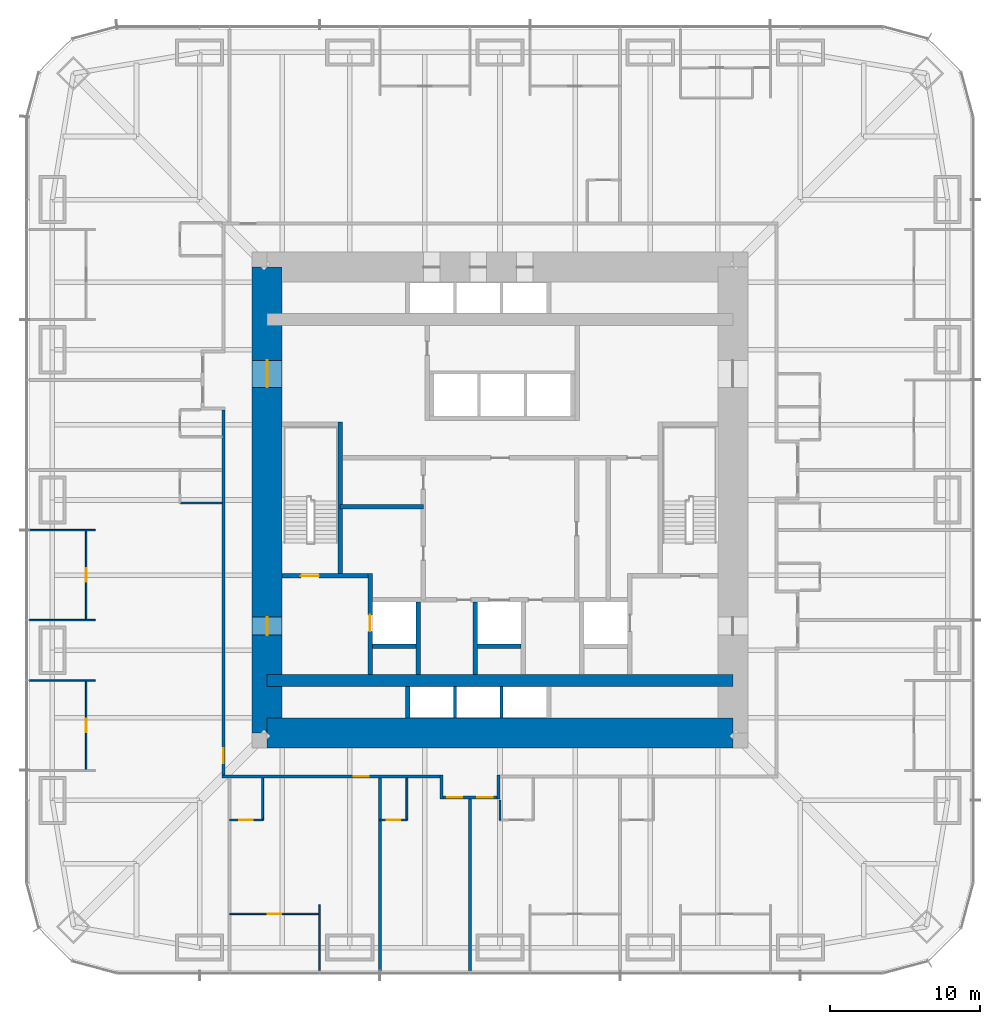
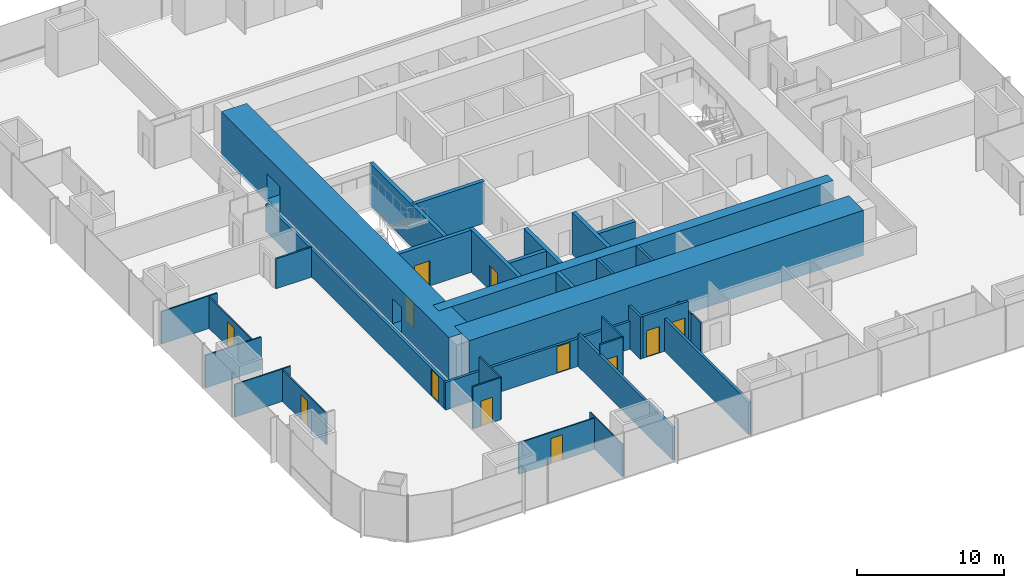
# One storey, part 12 of 17: 34 walls, 13 doors, 13 openings.
"""IFC4 building model written with IfcOpenShell, lengths in metres."""

from ifc_helpers import new_model, si_unit, direction, frame, frame_2d, origin, place, context, subcontext, project, spatial, rectangle, extrude, material, layer, layer_set, type_object, element, fill, save


model = new_model("IFC4")

# Units and contexts
model_context = context("Model", 3, precision=1e-05, world=origin(), true_north=direction((0.0, 1.0)))
body_context = subcontext(model_context, "Body", "Model", "MODEL_VIEW")
ifc_project = project(units=[si_unit("LENGTHUNIT", "METRE"), si_unit("AREAUNIT", "SQUARE_METRE"), si_unit("VOLUMEUNIT", "CUBIC_METRE"), si_unit("PLANEANGLEUNIT", "RADIAN"), si_unit("MASSUNIT", "GRAM", prefix="KILO")], contexts=[model_context])

# Site, building, storey
site_placement = place(None, origin())
site = spatial("IfcSite", under=ifc_project, at=site_placement, CompositionType="ELEMENT")
building_placement = place(site_placement, origin())
building = spatial("IfcBuilding", under=site, at=building_placement, Name="Khuree Lantern Residences", CompositionType="ELEMENT")
storey_placement = place(building_placement, frame((0.0, 0.0, 58.5)))
storey = spatial("IfcBuildingStorey", under=building, at=storey_placement, Name="L14", CompositionType="ELEMENT", Elevation=58.5)

# Wall
ifc_material_1 = material(Name="Moisture-resistant gypsum board on steel studs", Category="steel")
ifc_layer_1 = layer(ifc_material_1, 0.125)
ifc_layer_set_1 = layer_set([ifc_layer_1], Name="BATHROOM WALL BTW125")
wall_type_1 = type_object("IfcWallType", Name="BATHROOM WALL BTW125", PredefinedType="PARTITIONING", material=ifc_layer_set_1)
wall_1_placement = place(storey_placement, frame((-18.5, -0.199951171875, 0.0), z_axis=(0.0, 0.0, 1.0), x_axis=(-1.0, 0.0, 0.0)))
element("IfcWall", 1, at=wall_1_placement, inside=storey, type_object=wall_type_1, Name="L14 BATHROOM WALL 07", PredefinedType="PARTITIONING", context=body_context, shape_type="SweptSolid", body=[
    extrude(rectangle(XDim=2.800048828125, YDim=0.125, at=frame_2d((1.39990234375, 0.0))), origin(), (0.0, 0.0, 1.0), 2.491943359375),
])

# Wall, opening, door
wall_2_placement = place(storey_placement, frame((-18.0, -21.300048828125, 0.0), z_axis=(0.0, 0.0, 1.0), x_axis=(1.0, 0.0, 0.0)))
wall_2 = element("IfcWall", 2, at=wall_2_placement, inside=storey, type_object=wall_type_1, Name="L14 BATHROOM WALL 08", PredefinedType="PARTITIONING", context=body_context, shape_type="SweptSolid", body=[
    extrude(rectangle(XDim=2.199951171875, YDim=0.125, at=frame_2d((1.10009765625, 0.0))), origin(), (0.0, 0.0, 1.0), 3.5),
])
opening_1_placement = place(wall_2_placement, frame((0.64990234375, 0.0, 0.0)))
opening_1 = element("IfcOpeningElement", 3, at=opening_1_placement, cuts=wall_2, Name="Opening 14-046", PredefinedType="OPENING", context=body_context, shape_type="SweptSolid", body=[
    extrude(rectangle(XDim=0.89990234375, YDim=2.10009765625, at=frame_2d((0.449951171875, 1.050048828125))), frame((0.0, 0.072509765625, 0.0), z_axis=(0.0, -1.0, 0.0), x_axis=(1.0, 0.0, 0.0)), (0.0, 0.0, 1.0), 0.14501953125),
])
ifc_material_2 = material(Name="Timber door leaf in hardwood frame", Category="wood")
door_type_1 = type_object("IfcDoorType", Name="BATHROOM DOOR 900X2100", OperationType="SINGLE_SWING_LEFT", PredefinedType="DOOR", material=ifc_material_2)
door_1_placement = place(opening_1_placement, origin())
door_1 = element("IfcDoor", 4, at=door_1_placement, inside=storey, type_object=door_type_1, Name="Bathroom door 14-046", OperationType="SINGLE_SWING_LEFT", OverallHeight=2.10009765625, OverallWidth=0.89990234375, PredefinedType="DOOR", context=body_context, shape_type="SweptSolid", body=[
    extrude(rectangle(XDim=0.89990234375, YDim=2.10009765625, at=frame_2d((0.449951171875, 1.050048828125))), frame((0.0, 0.02490234375, 0.0), z_axis=(0.0, -1.0, 0.0), x_axis=(1.0, 0.0, 0.0)), (0.0, 0.0, 1.0), 0.050048828125),
])
fill(opening_1, door_1)

# Wall
wall_3_placement = place(storey_placement, frame((-15.800048828125, -18.5, 0.0), z_axis=(0.0, 0.0, 1.0), x_axis=(0.0, -1.0, 0.0)))
element("IfcWall", 5, at=wall_3_placement, inside=storey, type_object=wall_type_1, Name="L14 BATHROOM WALL 08", PredefinedType="PARTITIONING", context=body_context, shape_type="SweptSolid", body=[
    extrude(rectangle(XDim=2.800048828125, YDim=0.125, at=frame_2d((1.39990234375, 0.0))), origin(), (0.0, 0.0, 1.0), 3.5),
])

# Wall, opening, door
wall_4_placement = place(storey_placement, frame((-8.0, -21.300048828125, 0.0), z_axis=(0.0, 0.0, 1.0), x_axis=(1.0, 0.0, 0.0)))
wall_4 = element("IfcWall", 6, at=wall_4_placement, inside=storey, type_object=wall_type_1, Name="L14 BATHROOM WALL 09", PredefinedType="PARTITIONING", context=body_context, shape_type="SweptSolid", body=[
    extrude(rectangle(XDim=1.800048828125, YDim=0.125, at=frame_2d((0.89990234375, 0.0))), origin(), (0.0, 0.0, 1.0), 3.5),
])
opening_2_placement = place(wall_4_placement, frame((0.449951171875, 0.0, 0.0)))
opening_2 = element("IfcOpeningElement", 7, at=opening_2_placement, cuts=wall_4, Name="Opening 14-048", PredefinedType="OPENING", context=body_context, shape_type="SweptSolid", body=[
    extrude(rectangle(XDim=0.89990234375, YDim=2.10009765625, at=frame_2d((0.449951171875, 1.050048828125))), frame((0.0, 0.072509765625, 0.0), z_axis=(0.0, -1.0, 0.0), x_axis=(1.0, 0.0, 0.0)), (0.0, 0.0, 1.0), 0.14501953125),
])
door_2_placement = place(opening_2_placement, origin())
door_2 = element("IfcDoor", 8, at=door_2_placement, inside=storey, type_object=door_type_1, Name="Bathroom door 14-048", OperationType="SINGLE_SWING_LEFT", OverallHeight=2.10009765625, OverallWidth=0.89990234375, PredefinedType="DOOR", context=body_context, shape_type="SweptSolid", body=[
    extrude(rectangle(XDim=0.89990234375, YDim=2.10009765625, at=frame_2d((0.449951171875, 1.050048828125))), frame((0.0, 0.02490234375, 0.0), z_axis=(0.0, -1.0, 0.0), x_axis=(1.0, 0.0, 0.0)), (0.0, 0.0, 1.0), 0.050048828125),
])
fill(opening_2, door_2)

# Walls
wall_5_placement = place(storey_placement, frame((-6.199951171875, -18.5, 0.0), z_axis=(0.0, 0.0, 1.0), x_axis=(0.0, -1.0, 0.0)))
element("IfcWall", 9, at=wall_5_placement, inside=storey, type_object=wall_type_1, Name="L14 BATHROOM WALL 09", PredefinedType="PARTITIONING", context=body_context, shape_type="SweptSolid", body=[
    extrude(rectangle(XDim=2.800048828125, YDim=0.125, at=frame_2d((1.39990234375, 0.0))), origin(), (0.0, 0.0, 1.0), 3.5),
])
wall_6_placement = place(storey_placement, frame((0.0, -19.969970703125, 0.0), z_axis=(0.0, 0.0, 1.0), x_axis=(0.0, -1.0, 0.0)))
element("IfcWall", 10, at=wall_6_placement, inside=storey, type_object=wall_type_1, Name="L14 BATHROOM WALL 10", PredefinedType="PARTITIONING", context=body_context, shape_type="SweptSolid", body=[
    extrude(rectangle(XDim=1.330078125, YDim=0.125, at=frame_2d((0.6650390625, 0.0))), origin(), (0.0, 0.0, 1.0), 2.491943359375),
])

# Wall, opening, door
ifc_material_3 = material(Name="Dense concrete blockwork", Category="masonry")
ifc_layer_2 = layer(ifc_material_3, 0.300048828125)
ifc_layer_set_2 = layer_set([ifc_layer_2], Name="CORE PARTITION WALL CPW300 EI 120")
wall_type_2 = type_object("IfcWallType", Name="CORE PARTITION WALL CPW300 EI 120", PredefinedType="PARTITIONING", material=ifc_layer_set_2)
wall_7_placement = place(storey_placement, frame((-8.64990234375, -11.60009765625, 0.0), z_axis=(0.0, 0.0, 1.0), x_axis=(0.0, 1.0, 0.0)))
wall_7 = element("IfcWall", 11, at=wall_7_placement, inside=storey, type_object=wall_type_2, Name="L14 CORE WALL FL1W", PredefinedType="PARTITIONING", context=body_context, shape_type="SweptSolid", body=[
    extrude(rectangle(XDim=6.7001953125, YDim=0.300048828125, at=frame_2d((3.35009765625, 0.0))), origin(), (0.0, 0.0, 1.0), 3.5),
])
opening_3_placement = place(wall_7_placement, frame((2.85009765625, 0.0, 0.0)))
opening_3 = element("IfcOpeningElement", 12, at=opening_3_placement, cuts=wall_7, Name="Opening 14-007", PredefinedType="OPENING", context=body_context, shape_type="SweptSolid", body=[
    extrude(rectangle(XDim=1.10009765625, YDim=2.10009765625, at=frame_2d((0.550048828125, 1.050048828125))), frame((0.0, 0.16015625, 0.0), z_axis=(0.0, -1.0, 0.0), x_axis=(1.0, 0.0, 0.0)), (0.0, 0.0, 1.0), 0.320068359375),
])
ifc_material_4 = material(Name="Stainless steel lift landing door", Category="steel")
door_type_2 = type_object("IfcDoorType", Name="LIFT LANDING DOOR 1100X2100 E 120", OperationType="DOUBLE_DOOR_SLIDING", PredefinedType="DOOR", material=ifc_material_4)
door_3_placement = place(opening_3_placement, origin())
door_3 = element("IfcDoor", 13, at=door_3_placement, inside=storey, type_object=door_type_2, Name="Landing door FL1 14-007", OperationType="DOUBLE_DOOR_SLIDING", OverallHeight=2.10009765625, OverallWidth=1.10009765625, PredefinedType="DOOR", context=body_context, shape_type="SweptSolid", body=[
    extrude(rectangle(XDim=1.10009765625, YDim=2.10009765625, at=frame_2d((0.550048828125, 1.050048828125))), frame((0.0, 0.02490234375, 0.0), z_axis=(0.0, -1.0, 0.0), x_axis=(1.0, 0.0, 0.0)), (0.0, 0.0, 1.0), 0.050048828125),
])
fill(opening_3, door_3)

# Walls
for number, where, z_axis, x_axis, name in (
    (14, (-5.449951171875, -11.60009765625, 0.0), (0.0, 0.0, 1.0), (0.0, 1.0, 0.0), "L14 CORE WALL FL1E"),
    (15, (-1.64990234375, -11.60009765625, 0.0), (0.0, 0.0, 1.0), (0.0, 1.0, 0.0), "L14 CORE WALL SL1W"),
):
    element("IfcWall", number, at=place(storey_placement, frame(where, z_axis=z_axis, x_axis=x_axis)), inside=storey, type_object=wall_type_2, Name=name, PredefinedType="PARTITIONING", context=body_context, shape_type="SweptSolid", body=[
        extrude(rectangle(XDim=4.800048828125, YDim=0.300048828125, at=frame_2d((2.39990234375, 0.0))), origin(), (0.0, 0.0, 1.0), 3.5),
    ])
for number, where, z_axis, x_axis, name in (
    (16, (-8.5, -9.75, 0.0), (0.0, 0.0, 1.0), (1.0, 0.0, 0.0), "L14 CORE WALL FL1S"),
    (17, (-1.5, -9.75, 0.0), (0.0, 0.0, 1.0), (1.0, 0.0, 0.0), "L14 CORE WALL SL1S"),
):
    element("IfcWall", number, at=place(storey_placement, frame(where, z_axis=z_axis, x_axis=x_axis)), inside=storey, type_object=wall_type_2, Name=name, PredefinedType="PARTITIONING", context=body_context, shape_type="SweptSolid", body=[
        extrude(rectangle(XDim=2.89990234375, YDim=0.300048828125, at=frame_2d((1.449951171875, 0.0))), origin(), (0.0, 0.0, 1.0), 3.5),
    ])
wall_8_placement = place(storey_placement, frame((-6.14990234375, -14.5, 0.0), z_axis=(0.0, 0.0, 1.0), x_axis=(0.0, 1.0, 0.0)))
element("IfcWall", 18, at=wall_8_placement, inside=storey, type_object=wall_type_2, Name="L14 CORE WALL PMW", PredefinedType="PARTITIONING", context=body_context, shape_type="SweptSolid", body=[
    extrude(rectangle(XDim=2.10009765625, YDim=0.300048828125, at=frame_2d((1.050048828125, 0.0))), origin(), (0.0, 0.0, 1.0), 3.5),
])
wall_9_placement = place(storey_placement, frame((-10.64990234375, -0.455078125, 0.0), z_axis=(0.0, 0.0, 1.0), x_axis=(1.0, 0.0, 0.0)))
element("IfcWall", 19, at=wall_9_placement, inside=storey, type_object=wall_type_2, Name="L14 CORE WALL WX", PredefinedType="PARTITIONING", context=body_context, shape_type="SweptSolid", body=[
    extrude(rectangle(XDim=5.5498046875, YDim=0.300048828125, at=frame_2d((2.77490234375, 0.0))), origin(), (0.0, 0.0, 1.0), 3.5),
])

# Wall, opening, door
ifc_material_5 = material(Name="Gypsum board on steel studs", Category="steel")
ifc_layer_3 = layer(ifc_material_5, 0.199951171875)
ifc_layer_set_3 = layer_set([ifc_layer_3], Name="CORRIDOR WALL CRW200 EI 60")
wall_type_3 = type_object("IfcWallType", Name="CORRIDOR WALL CRW200 EI 60", PredefinedType="PARTITIONING", material=ifc_layer_set_3)
wall_10_placement = place(storey_placement, frame((-18.39990234375, 6.0, 0.0), z_axis=(0.0, 0.0, 1.0), x_axis=(0.0, -1.0, 0.0)))
wall_10 = element("IfcWall", 20, at=wall_10_placement, inside=storey, type_object=wall_type_3, Name="L14 CORRIDOR WALL WEST 2", PredefinedType="PARTITIONING", context=body_context, shape_type="SweptSolid", body=[
    extrude(rectangle(XDim=24.300048828125, YDim=0.199951171875, at=frame_2d((12.14990234375, 0.0))), origin(), (0.0, 0.0, 1.0), 2.300048828125),
])
opening_4_placement = place(wall_10_placement, frame((22.52001953125, 0.0, 0.0)))
opening_4 = element("IfcOpeningElement", 21, at=opening_4_placement, cuts=wall_10, Name="Opening 14-044", PredefinedType="OPENING", context=body_context, shape_type="SweptSolid", body=[
    extrude(rectangle(XDim=1.0, YDim=2.199951171875, at=frame_2d((0.5, 1.10009765625))), frame((0.0, 0.10986328125, 0.0), z_axis=(0.0, -1.0, 0.0), x_axis=(1.0, 0.0, 0.0)), (0.0, 0.0, 1.0), 0.219970703125),
])
door_type_3 = type_object("IfcDoorType", Name="APARTMENT ENTRANCE DOOR 1000X2200 EI 30S RIGHT HAND", OperationType="SINGLE_SWING_RIGHT", PredefinedType="DOOR", material=ifc_material_2)
door_4_placement = place(opening_4_placement, origin())
door_4 = element("IfcDoor", 22, at=door_4_placement, inside=storey, type_object=door_type_3, Name="Apartment 07 entrance door 14-044", OperationType="SINGLE_SWING_RIGHT", OverallHeight=2.199951171875, OverallWidth=1.0, PredefinedType="DOOR", context=body_context, shape_type="SweptSolid", body=[
    extrude(rectangle(XDim=1.0, YDim=2.199951171875, at=frame_2d((0.5, 1.10009765625))), frame((0.0, 0.02490234375, 0.0), z_axis=(0.0, -1.0, 0.0), x_axis=(1.0, 0.0, 0.0)), (0.0, 0.0, 1.0), 0.050048828125),
])
fill(opening_4, door_4)

# Walls
wall_11_placement = place(storey_placement, frame((-0.10009765625, -18.300048828125, 0.0), z_axis=(0.0, 0.0, 1.0), x_axis=(0.0, -1.0, 0.0)))
element("IfcWall", 23, at=wall_11_placement, inside=storey, type_object=wall_type_3, Name="L14 CORRIDOR ALCOVE WALL SOUTH", PredefinedType="PARTITIONING", context=body_context, shape_type="SweptSolid", body=[
    extrude(rectangle(XDim=1.599853515625, YDim=0.199951171875, at=frame_2d((0.7998046875, 0.0))), origin(), (0.0, 0.0, 1.0), 2.491943359375),
])
wall_12_placement = place(storey_placement, frame((-3.89990234375, -18.300048828125, 0.0), z_axis=(0.0, 0.0, 1.0), x_axis=(0.0, -1.0, 0.0)))
element("IfcWall", 24, at=wall_12_placement, inside=storey, type_object=wall_type_3, Name="L14 CORRIDOR ALCOVE WALL SOUTH", PredefinedType="PARTITIONING", context=body_context, shape_type="SweptSolid", body=[
    extrude(rectangle(XDim=1.599853515625, YDim=0.199951171875, at=frame_2d((0.7998046875, 0.0))), origin(), (0.0, 0.0, 1.0), 3.5),
])

# Wall, openings, doors
wall_13_placement = place(storey_placement, frame((-0.199951171875, -19.800048828125, 0.0), z_axis=(0.0, 0.0, 1.0), x_axis=(-1.0, 0.0, 0.0)))
wall_13 = element("IfcWall", 25, at=wall_13_placement, inside=storey, type_object=wall_type_3, Name="L14 CORRIDOR ALCOVE WALL SOUTH", PredefinedType="PARTITIONING", context=body_context, shape_type="SweptSolid", body=[
    extrude(rectangle(XDim=3.60009765625, YDim=0.199951171875, at=frame_2d((1.800048828125, 0.0))), origin(), (0.0, 0.0, 1.0), 3.5),
])
opening_5_placement = place(wall_13_placement, frame((2.300048828125, 0.0, 0.0)))
opening_5 = element("IfcOpeningElement", 26, at=opening_5_placement, cuts=wall_13, Name="Opening 14-049", PredefinedType="OPENING", context=body_context, shape_type="SweptSolid", body=[
    extrude(rectangle(XDim=1.0, YDim=2.199951171875, at=frame_2d((0.5, 1.10009765625))), frame((0.0, 0.10986328125, 0.0), z_axis=(0.0, -1.0, 0.0), x_axis=(1.0, 0.0, 0.0)), (0.0, 0.0, 1.0), 0.219970703125),
])
opening_6_placement = place(wall_13_placement, frame((0.300048828125, 0.0, 0.0)))
opening_6 = element("IfcOpeningElement", 27, at=opening_6_placement, cuts=wall_13, Name="Opening 14-052", PredefinedType="OPENING", context=body_context, shape_type="SweptSolid", body=[
    extrude(rectangle(XDim=1.0, YDim=2.199951171875, at=frame_2d((0.5, 1.10009765625))), frame((0.0, 0.10986328125, 0.0), z_axis=(0.0, -1.0, 0.0), x_axis=(1.0, 0.0, 0.0)), (0.0, 0.0, 1.0), 0.219970703125),
])
door_type_4 = type_object("IfcDoorType", Name="APARTMENT ENTRANCE DOOR 1000X2200 EI 30S", OperationType="SINGLE_SWING_LEFT", PredefinedType="DOOR", material=ifc_material_2)
door_5_placement = place(opening_5_placement, origin())
door_5 = element("IfcDoor", 28, at=door_5_placement, inside=storey, type_object=door_type_4, Name="Apartment 09 entrance door 14-049", OperationType="SINGLE_SWING_LEFT", OverallHeight=2.199951171875, OverallWidth=1.0, PredefinedType="DOOR", context=body_context, shape_type="SweptSolid", body=[
    extrude(rectangle(XDim=1.0, YDim=2.199951171875, at=frame_2d((0.5, 1.10009765625))), frame((0.0, 0.02490234375, 0.0), z_axis=(0.0, -1.0, 0.0), x_axis=(1.0, 0.0, 0.0)), (0.0, 0.0, 1.0), 0.050048828125),
])
fill(opening_5, door_5)
door_6_placement = place(opening_6_placement, origin())
door_6 = element("IfcDoor", 29, at=door_6_placement, inside=storey, type_object=door_type_4, Name="Apartment 10 entrance door 14-052", OperationType="SINGLE_SWING_LEFT", OverallHeight=2.199951171875, OverallWidth=1.0, PredefinedType="DOOR", context=body_context, shape_type="SweptSolid", body=[
    extrude(rectangle(XDim=1.0, YDim=2.199951171875, at=frame_2d((0.5, 1.10009765625))), frame((0.0, 0.02490234375, 0.0), z_axis=(0.0, -1.0, 0.0), x_axis=(1.0, 0.0, 0.0)), (0.0, 0.0, 1.0), 0.050048828125),
])
fill(opening_6, door_6)

# Wall, opening, door
wall_14_placement = place(storey_placement, frame((-4.0, -18.39990234375, 0.0), z_axis=(0.0, 0.0, 1.0), x_axis=(-1.0, 0.0, 0.0)))
wall_14 = element("IfcWall", 30, at=wall_14_placement, inside=storey, type_object=wall_type_3, Name="L14 CORRIDOR WALL SOUTH 2", PredefinedType="PARTITIONING", context=body_context, shape_type="SweptSolid", body=[
    extrude(rectangle(XDim=14.5, YDim=0.199951171875, at=frame_2d((7.25, 0.0))), origin(), (0.0, 0.0, 1.0), 2.300048828125),
])
opening_7_placement = place(wall_14_placement, frame((4.72998046875, 0.0, 0.0)))
opening_7 = element("IfcOpeningElement", 31, at=opening_7_placement, cuts=wall_14, Name="Opening 14-047", PredefinedType="OPENING", context=body_context, shape_type="SweptSolid", body=[
    extrude(rectangle(XDim=1.0, YDim=2.199951171875, at=frame_2d((0.5, 1.10009765625))), frame((0.0, 0.10986328125, 0.0), z_axis=(0.0, -1.0, 0.0), x_axis=(1.0, 0.0, 0.0)), (0.0, 0.0, 1.0), 0.219970703125),
])
door_7_placement = place(opening_7_placement, origin())
door_7 = element("IfcDoor", 32, at=door_7_placement, inside=storey, type_object=door_type_4, Name="Apartment 08 entrance door 14-047", OperationType="SINGLE_SWING_LEFT", OverallHeight=2.199951171875, OverallWidth=1.0, PredefinedType="DOOR", context=body_context, shape_type="SweptSolid", body=[
    extrude(rectangle(XDim=1.0, YDim=2.199951171875, at=frame_2d((0.5, 1.10009765625))), frame((0.0, 0.02490234375, 0.0), z_axis=(0.0, -1.0, 0.0), x_axis=(1.0, 0.0, 0.0)), (0.0, 0.0, 1.0), 0.050048828125),
])
fill(opening_7, door_7)

# Wall
ifc_material_6 = material(Name="Concrete C70/85", Category="concrete")
ifc_layer_4 = layer(ifc_material_6, 2.0)
ifc_layer_set_4 = layer_set([ifc_layer_4], Name="CW2000-C70 CORE WALL C70 2000")
wall_type_4 = type_object("IfcWallType", Name="CW2000-C70 CORE WALL C70 2000", PredefinedType="SHEAR", material=ifc_layer_set_4)
wall_15_placement = place(storey_placement, frame((-15.5, -15.5, -0.25), z_axis=(0.0, 0.0, 1.0), x_axis=(1.0, 0.0, 0.0)))
element("IfcWall", 33, at=wall_15_placement, inside=storey, type_object=wall_type_4, Name="Core wall S", PredefinedType="SHEAR", context=body_context, shape_type="SweptSolid", body=[
    extrude(rectangle(XDim=31.0, YDim=2.0, at=frame_2d((15.5, 0.0))), origin(), (0.0, 0.0, 1.0), 3.75),
])

# Wall, openings, doors
wall_16_placement = place(storey_placement, frame((-15.5, -15.5, -0.25), z_axis=(0.0, 0.0, 1.0), x_axis=(0.0, 1.0, 0.0)))
wall_16 = element("IfcWall", 34, at=wall_16_placement, inside=storey, type_object=wall_type_4, Name="Core wall W", PredefinedType="SHEAR", context=body_context, shape_type="SweptSolid", body=[
    extrude(rectangle(XDim=31.0, YDim=2.0, at=frame_2d((15.5, 0.0))), origin(), (0.0, 0.0, 1.0), 3.75),
])
opening_8_placement = place(wall_16_placement, frame((6.5, 0.0, 0.25)))
opening_8 = element("IfcOpeningElement", 35, at=opening_8_placement, cuts=wall_16, Name="Opening 14-002", PredefinedType="OPENING", context=body_context, shape_type="SweptSolid", body=[
    extrude(rectangle(XDim=1.199951171875, YDim=2.10009765625, at=frame_2d((0.60009765625, 1.050048828125))), frame((0.0, 1.010009765625, 0.0), z_axis=(0.0, -1.0, 0.0), x_axis=(1.0, 0.0, 0.0)), (0.0, 0.0, 1.0), 2.02001953125),
])
opening_9_placement = place(wall_16_placement, frame((23.0, 0.0, 0.25)))
opening_9 = element("IfcOpeningElement", 36, at=opening_9_placement, cuts=wall_16, Name="Opening 14-003", PredefinedType="OPENING", context=body_context, shape_type="SweptSolid", body=[
    extrude(rectangle(XDim=1.800048828125, YDim=2.10009765625, at=frame_2d((0.89990234375, 1.050048828125))), frame((0.0, 1.010009765625, 0.0), z_axis=(0.0, -1.0, 0.0), x_axis=(1.0, 0.0, 0.0)), (0.0, 0.0, 1.0), 2.02001953125),
])
ifc_material_7 = material(Name="Steel door leaf in steel frame", Category="steel")
door_type_5 = type_object("IfcDoorType", Name="LOBBY DOOR 1200X2100 EI 120", OperationType="SINGLE_SWING_LEFT", PredefinedType="DOOR", material=ifc_material_7)
door_8_placement = place(opening_8_placement, origin())
door_8 = element("IfcDoor", 37, at=door_8_placement, inside=storey, type_object=door_type_5, Name="Firefighting lobby door 14-002", OperationType="SINGLE_SWING_LEFT", OverallHeight=2.10009765625, OverallWidth=1.199951171875, PredefinedType="DOOR", context=body_context, shape_type="SweptSolid", body=[
    extrude(rectangle(XDim=1.199951171875, YDim=2.10009765625, at=frame_2d((0.60009765625, 1.050048828125))), frame((0.0, 0.02490234375, 0.0), z_axis=(0.0, -1.0, 0.0), x_axis=(1.0, 0.0, 0.0)), (0.0, 0.0, 1.0), 0.050048828125),
])
fill(opening_8, door_8)
door_type_6 = type_object("IfcDoorType", Name="LOBBY DOUBLE DOOR 1800X2100 EI 60", OperationType="DOUBLE_DOOR_SINGLE_SWING", PredefinedType="DOOR", material=ifc_material_7)
door_9_placement = place(opening_9_placement, origin())
door_9 = element("IfcDoor", 38, at=door_9_placement, inside=storey, type_object=door_type_6, Name="Lift lobby door 14-003", OperationType="DOUBLE_DOOR_SINGLE_SWING", OverallHeight=2.10009765625, OverallWidth=1.800048828125, PredefinedType="DOOR", context=body_context, shape_type="SweptSolid", body=[
    extrude(rectangle(XDim=1.800048828125, YDim=2.10009765625, at=frame_2d((0.89990234375, 1.050048828125))), frame((0.0, 0.02490234375, 0.0), z_axis=(0.0, -1.0, 0.0), x_axis=(1.0, 0.0, 0.0)), (0.0, 0.0, 1.0), 0.050048828125),
])
fill(opening_9, door_9)

# Walls
ifc_layer_5 = layer(ifc_material_5, 0.199951171875)
ifc_layer_set_5 = layer_set([ifc_layer_5], Name="DEMISING WALL DMW200 EI 90")
wall_type_5 = type_object("IfcWallType", Name="DEMISING WALL DMW200 EI 90", PredefinedType="PARTITIONING", material=ifc_layer_set_5)
wall_17_placement = place(storey_placement, frame((-8.0, -18.5, 0.0), z_axis=(0.0, 0.0, 1.0), x_axis=(0.0, -1.0, 0.0)))
element("IfcWall", 39, at=wall_17_placement, inside=storey, type_object=wall_type_5, Name="L14 DEMISING WALL 09", PredefinedType="PARTITIONING", context=body_context, shape_type="SweptSolid", body=[
    extrude(rectangle(XDim=12.85009765625, YDim=0.199951171875, at=frame_2d((6.425048828125, 0.0))), origin(), (0.0, 0.0, 1.0), 2.7099609375),
])
wall_18_placement = place(storey_placement, frame((-2.0, -19.89990234375, 0.0), z_axis=(0.0, 0.0, 1.0), x_axis=(0.0, -1.0, 0.0)))
element("IfcWall", 40, at=wall_18_placement, inside=storey, type_object=wall_type_5, Name="L14 DEMISING WALL 10", PredefinedType="PARTITIONING", context=body_context, shape_type="SweptSolid", body=[
    extrude(rectangle(XDim=11.4501953125, YDim=0.199951171875, at=frame_2d((5.72509765625, 0.0))), origin(), (0.0, 0.0, 1.0), 2.7099609375),
])
ifc_layer_6 = layer(ifc_material_5, 0.10009765625)
ifc_layer_set_6 = layer_set([ifc_layer_6], Name="PARTITION PT100")
wall_type_6 = type_object("IfcWallType", Name="PARTITION PT100", PredefinedType="PARTITIONING", material=ifc_layer_set_6)
for number, where, z_axis, x_axis, name in (
    (41, (-26.949951171875, -2.0, 0.0), (0.0, 0.0, 1.0), (-1.0, 0.0, 0.0), "L14 PARTITION 07"),
    (42, (-26.949951171875, -8.0, 0.0), (0.0, 0.0, 1.0), (-1.0, 0.0, 0.0), "L14 PARTITION 07"),
    (43, (-26.949951171875, -12.0, 0.0), (0.0, 0.0, 1.0), (-1.0, 0.0, 0.0), "L14 PARTITION 07"),
    (44, (-12.0, -26.949951171875, 0.0), (0.0, 0.0, 1.0), (0.0, -1.0, 0.0), "L14 PARTITION 08"),
):
    element("IfcWall", number, at=place(storey_placement, frame(where, z_axis=z_axis, x_axis=x_axis)), inside=storey, type_object=wall_type_6, Name=name, PredefinedType="PARTITIONING", context=body_context, shape_type="SweptSolid", body=[
        extrude(rectangle(XDim=4.400146484375, YDim=0.10009765625, at=frame_2d((2.2001953125, 0.0))), origin(), (0.0, 0.0, 1.0), 2.7099609375),
    ])

# Wall, opening, door
wall_19_placement = place(storey_placement, frame((-27.550048828125, -2.0, 0.0), z_axis=(0.0, 0.0, 1.0), x_axis=(0.0, -1.0, 0.0)))
wall_19 = element("IfcWall", 45, at=wall_19_placement, inside=storey, type_object=wall_type_6, Name="L14 PARTITION 07", PredefinedType="PARTITIONING", context=body_context, shape_type="SweptSolid", body=[
    extrude(rectangle(XDim=6.0, YDim=0.10009765625, at=frame_2d((3.0, 0.0))), origin(), (0.0, 0.0, 1.0), 2.610107421875),
])
opening_10_placement = place(wall_19_placement, frame((2.550048828125, 0.0, 0.0)))
opening_10 = element("IfcOpeningElement", 46, at=opening_10_placement, cuts=wall_19, Name="Opening 14-041", PredefinedType="OPENING", context=body_context, shape_type="SweptSolid", body=[
    extrude(rectangle(XDim=0.89990234375, YDim=2.10009765625, at=frame_2d((0.449951171875, 1.050048828125))), frame((0.0, 0.06005859375, 0.0), z_axis=(0.0, -1.0, 0.0), x_axis=(1.0, 0.0, 0.0)), (0.0, 0.0, 1.0), 0.1201171875),
])
door_type_7 = type_object("IfcDoorType", Name="BEDROOM DOOR 900X2100", OperationType="SINGLE_SWING_LEFT", PredefinedType="DOOR", material=ifc_material_2)
door_10_placement = place(opening_10_placement, origin())
door_10 = element("IfcDoor", 47, at=door_10_placement, inside=storey, type_object=door_type_7, Name="Bedroom door 14-041", OperationType="SINGLE_SWING_LEFT", OverallHeight=2.10009765625, OverallWidth=0.89990234375, PredefinedType="DOOR", context=body_context, shape_type="SweptSolid", body=[
    extrude(rectangle(XDim=0.89990234375, YDim=2.10009765625, at=frame_2d((0.449951171875, 1.050048828125))), frame((0.0, 0.02490234375, 0.0), z_axis=(0.0, -1.0, 0.0), x_axis=(1.0, 0.0, 0.0)), (0.0, 0.0, 1.0), 0.050048828125),
])
fill(opening_10, door_10)

wall_20_placement = place(storey_placement, frame((-27.550048828125, -12.0, 0.0), z_axis=(0.0, 0.0, 1.0), x_axis=(0.0, -1.0, 0.0)))
wall_20 = element("IfcWall", 48, at=wall_20_placement, inside=storey, type_object=wall_type_6, Name="L14 PARTITION 07", PredefinedType="PARTITIONING", context=body_context, shape_type="SweptSolid", body=[
    extrude(rectangle(XDim=6.0, YDim=0.10009765625, at=frame_2d((3.0, 0.0))), origin(), (0.0, 0.0, 1.0), 2.610107421875),
])
opening_11_placement = place(wall_20_placement, frame((2.550048828125, 0.0, 0.0)))
opening_11 = element("IfcOpeningElement", 49, at=opening_11_placement, cuts=wall_20, Name="Opening 14-042", PredefinedType="OPENING", context=body_context, shape_type="SweptSolid", body=[
    extrude(rectangle(XDim=0.89990234375, YDim=2.10009765625, at=frame_2d((0.449951171875, 1.050048828125))), frame((0.0, 0.06005859375, 0.0), z_axis=(0.0, -1.0, 0.0), x_axis=(1.0, 0.0, 0.0)), (0.0, 0.0, 1.0), 0.1201171875),
])
door_11_placement = place(opening_11_placement, origin())
door_11 = element("IfcDoor", 50, at=door_11_placement, inside=storey, type_object=door_type_7, Name="Bedroom door 14-042", OperationType="SINGLE_SWING_LEFT", OverallHeight=2.10009765625, OverallWidth=0.89990234375, PredefinedType="DOOR", context=body_context, shape_type="SweptSolid", body=[
    extrude(rectangle(XDim=0.89990234375, YDim=2.10009765625, at=frame_2d((0.449951171875, 1.050048828125))), frame((0.0, 0.02490234375, 0.0), z_axis=(0.0, -1.0, 0.0), x_axis=(1.0, 0.0, 0.0)), (0.0, 0.0, 1.0), 0.050048828125),
])
fill(opening_11, door_11)

wall_21_placement = place(storey_placement, frame((-18.0, -27.550048828125, 0.0), z_axis=(0.0, 0.0, 1.0), x_axis=(1.0, 0.0, 0.0)))
wall_21 = element("IfcWall", 51, at=wall_21_placement, inside=storey, type_object=wall_type_6, Name="L14 PARTITION 08", PredefinedType="PARTITIONING", context=body_context, shape_type="SweptSolid", body=[
    extrude(rectangle(XDim=6.0, YDim=0.10009765625, at=frame_2d((3.0, 0.0))), origin(), (0.0, 0.0, 1.0), 2.610107421875),
])
opening_12_placement = place(wall_21_placement, frame((2.550048828125, 0.0, 0.0)))
opening_12 = element("IfcOpeningElement", 52, at=opening_12_placement, cuts=wall_21, Name="Opening 14-045", PredefinedType="OPENING", context=body_context, shape_type="SweptSolid", body=[
    extrude(rectangle(XDim=0.89990234375, YDim=2.10009765625, at=frame_2d((0.449951171875, 1.050048828125))), frame((0.0, 0.06005859375, 0.0), z_axis=(0.0, -1.0, 0.0), x_axis=(1.0, 0.0, 0.0)), (0.0, 0.0, 1.0), 0.1201171875),
])
door_12_placement = place(opening_12_placement, origin())
door_12 = element("IfcDoor", 53, at=door_12_placement, inside=storey, type_object=door_type_7, Name="Bedroom door 14-045", OperationType="SINGLE_SWING_LEFT", OverallHeight=2.10009765625, OverallWidth=0.89990234375, PredefinedType="DOOR", context=body_context, shape_type="SweptSolid", body=[
    extrude(rectangle(XDim=0.89990234375, YDim=2.10009765625, at=frame_2d((0.449951171875, 1.050048828125))), frame((0.0, 0.02490234375, 0.0), z_axis=(0.0, -1.0, 0.0), x_axis=(1.0, 0.0, 0.0)), (0.0, 0.0, 1.0), 0.050048828125),
])
fill(opening_12, door_12)

# Walls
ifc_layer_7 = layer(ifc_material_3, 0.199951171875)
ifc_layer_set_7 = layer_set([ifc_layer_7], Name="SHAFT WALL SHW200 EI 120")
wall_type_7 = type_object("IfcWallType", Name="SHAFT WALL SHW200 EI 120", PredefinedType="PARTITIONING", material=ifc_layer_set_7)
for number, where, z_axis, x_axis, name in (
    (54, (-3.0, -14.5, 0.0), (0.0, 0.0, 1.0), (0.0, 1.0, 0.0), "L14 CORE WALL PMD1"),
    (55, (0.10009765625, -14.5, 0.0), (0.0, 0.0, 1.0), (0.0, 1.0, 0.0), "L14 CORE WALL PMD2"),
):
    element("IfcWall", number, at=place(storey_placement, frame(where, z_axis=z_axis, x_axis=x_axis)), inside=storey, type_object=wall_type_7, Name=name, PredefinedType="PARTITIONING", context=body_context, shape_type="SweptSolid", body=[
        extrude(rectangle(XDim=2.10009765625, YDim=0.199951171875, at=frame_2d((1.050048828125, 0.0))), origin(), (0.0, 0.0, 1.0), 3.5),
    ])
ifc_layer_8 = layer(ifc_material_6, 0.800048828125)
ifc_layer_set_8 = layer_set([ifc_layer_8], Name="SP800-C70 CORE SPINE WALL C70 800")
wall_type_8 = type_object("IfcWallType", Name="SP800-C70 CORE SPINE WALL C70 800", PredefinedType="SHEAR", material=ifc_layer_set_8)
wall_22_placement = place(storey_placement, frame((-15.5, -12.0, -0.25), z_axis=(0.0, 0.0, 1.0), x_axis=(1.0, 0.0, 0.0)))
element("IfcWall", 56, at=wall_22_placement, inside=storey, type_object=wall_type_8, Name="Core wall SPS", PredefinedType="SHEAR", context=body_context, shape_type="SweptSolid", body=[
    extrude(rectangle(XDim=31.0, YDim=0.800048828125, at=frame_2d((15.5, 0.0))), origin(), (0.0, 0.0, 1.0), 3.75),
])
ifc_material_8 = material(Name="Concrete C50/60", Category="concrete")
ifc_layer_9 = layer(ifc_material_8, 0.300048828125)
ifc_layer_set_9 = layer_set([ifc_layer_9], Name="STAIR WALL SRW300 C50/60 REI 240")
wall_type_9 = type_object("IfcWallType", Name="STAIR WALL SRW300 C50/60 REI 240", PredefinedType="SOLIDWALL", material=ifc_layer_set_9)
wall_23_placement = place(storey_placement, frame((-10.64990234375, -4.89990234375, 0.0), z_axis=(0.0, 0.0, 1.0), x_axis=(0.0, 1.0, 0.0)))
element("IfcWall", 57, at=wall_23_placement, inside=storey, type_object=wall_type_9, Name="L14 STAIR WALL ST1E", PredefinedType="SOLIDWALL", context=body_context, shape_type="SweptSolid", body=[
    extrude(rectangle(XDim=10.099853515625, YDim=0.300048828125, at=frame_2d((5.0498046875, 0.0))), origin(), (0.0, 0.0, 1.0), 3.5),
])

# Wall, opening, door
wall_24_placement = place(storey_placement, frame((-14.5, -5.050048828125, 0.0), z_axis=(0.0, 0.0, 1.0), x_axis=(1.0, 0.0, 0.0)))
wall_24 = element("IfcWall", 58, at=wall_24_placement, inside=storey, type_object=wall_type_9, Name="L14 STAIR WALL ST1S", PredefinedType="SOLIDWALL", context=body_context, shape_type="SweptSolid", body=[
    extrude(rectangle(XDim=5.699951171875, YDim=0.300048828125, at=frame_2d((2.85009765625, 0.0))), origin(), (0.0, 0.0, 1.0), 3.5),
])
opening_13_placement = place(wall_24_placement, frame((1.25, 0.0, 0.0)))
opening_13 = element("IfcOpeningElement", 59, at=opening_13_placement, cuts=wall_24, Name="Opening 14-001", PredefinedType="OPENING", context=body_context, shape_type="SweptSolid", body=[
    extrude(rectangle(XDim=1.199951171875, YDim=2.10009765625, at=frame_2d((0.60009765625, 1.050048828125))), frame((0.0, 0.16015625, 0.0), z_axis=(0.0, -1.0, 0.0), x_axis=(1.0, 0.0, 0.0)), (0.0, 0.0, 1.0), 0.320068359375),
])
door_type_8 = type_object("IfcDoorType", Name="STAIR DOOR 1200X2100 EI 120", OperationType="SINGLE_SWING_LEFT", PredefinedType="DOOR", material=ifc_material_7)
door_13_placement = place(opening_13_placement, origin())
door_13 = element("IfcDoor", 60, at=door_13_placement, inside=storey, type_object=door_type_8, Name="Stair ST1 door 14-001", OperationType="SINGLE_SWING_LEFT", OverallHeight=2.10009765625, OverallWidth=1.199951171875, PredefinedType="DOOR", context=body_context, shape_type="SweptSolid", body=[
    extrude(rectangle(XDim=1.199951171875, YDim=2.10009765625, at=frame_2d((0.60009765625, 1.050048828125))), frame((0.0, 0.02490234375, 0.0), z_axis=(0.0, -1.0, 0.0), x_axis=(1.0, 0.0, 0.0)), (0.0, 0.0, 1.0), 0.050048828125),
])
fill(opening_13, door_13)

save(model, "model.ifc")
